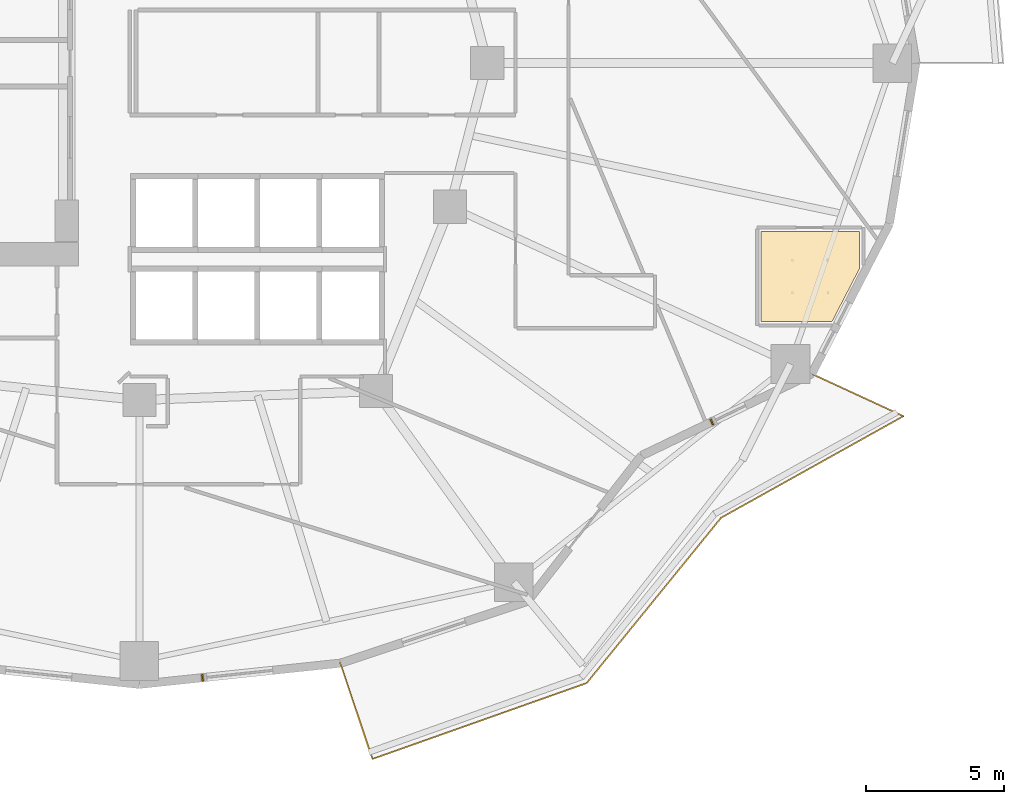
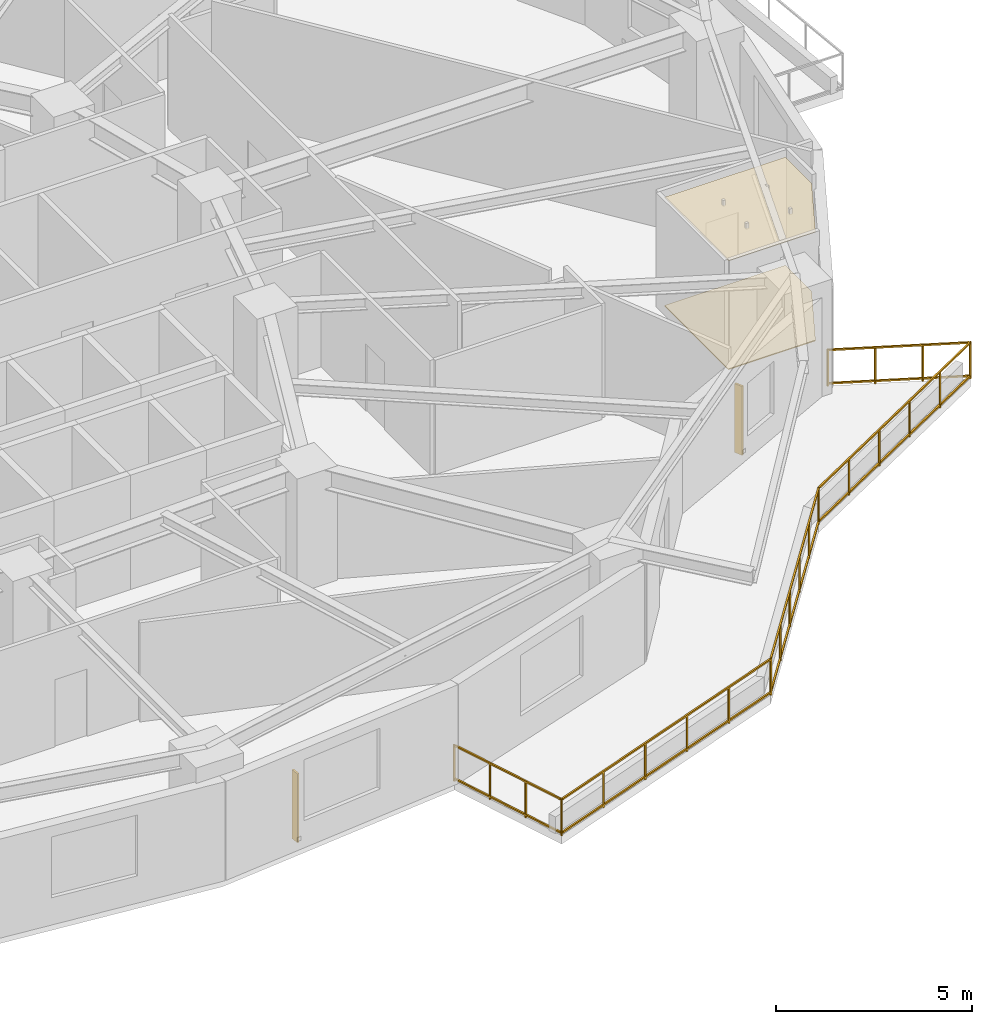
# One storey, part 16 of 18: 2 coverings, 2 shading devices, 1 railing.
"""IFC4 building model written with IfcOpenShell, lengths in metres."""

import ifcopenshell
import ifcopenshell.guid

model = None  # the IFC model being written
_history = None  # IfcOwnerHistory: only IFC2X3 demands one
_inside = {}  # id of a spatial element -> (the spatial element, [elements in it])
_under = {}  # id of a project, library or spatial element -> (it, [spatial elements below it])
_declared = {}  # id of a project -> (the project, [libraries it declares])
_typed = {}  # id of a type object -> (the type object, [elements of that type])
_made_of = {}  # id of a material, layer set ... -> (it, [elements and type objects made of it])


def new_model(schema):
    """Start an empty IFC model of exactly this schema.

    Asked for "IFC4X3", IfcOpenShell would pick the latest addendum, in which some entities
    have other attributes; the version numbers below select the first issue.
    IFC2X3 requires an IfcOwnerHistory on every rooted entity: one is made here for all.
    """
    global model, _history
    if schema == "IFC4X3":
        model = ifcopenshell.file(schema_version=(4, 3, 0, 0))
    else:
        model = ifcopenshell.file(schema=schema)
    _inside.clear()
    _under.clear()
    _declared.clear()
    _typed.clear()
    _made_of.clear()
    _history = None
    if model.schema == "IFC2X3":
        org = make("IfcOrganization", Name="unknown")
        user = make(
            "IfcPersonAndOrganization",
            ThePerson=make("IfcPerson", FamilyName="unknown"),
            TheOrganization=org,
        )
        app = make(
            "IfcApplication",
            ApplicationDeveloper=org,
            Version="unknown",
            ApplicationFullName="unknown",
            ApplicationIdentifier="unknown",
        )
        _history = make(
            "IfcOwnerHistory",
            OwningUser=user,
            OwningApplication=app,
            ChangeAction="ADDED",
            CreationDate=0,
        )
    return model


def make(cls, **values):
    """One entity of the class cls with the attributes given. An attribute that is None is left unset."""
    return model.create_entity(
        cls, **{name: value for name, value in values.items() if value is not None}
    )


def rooted(cls, **values):
    """An entity with a GlobalId (a new one), such as an element, a storey or a relation."""
    return make(cls, GlobalId=ifcopenshell.guid.new(), OwnerHistory=_history, **values)


def si_unit(unit_type, name, prefix=None):
    """IfcSIUnit, for example si_unit("LENGTHUNIT", "METRE", prefix="MILLI")."""
    return make("IfcSIUnit", UnitType=unit_type, Prefix=prefix, Name=name)


def assignment(units):
    """IfcUnitAssignment: the units of a project."""
    return None if units is None else make("IfcUnitAssignment", Units=units)


def point(xyz):
    """IfcCartesianPoint."""
    return None if xyz is None else make("IfcCartesianPoint", Coordinates=xyz)


def direction(xyz):
    """IfcDirection."""
    return None if xyz is None else make("IfcDirection", DirectionRatios=xyz)


def frame(location, z_axis=None, x_axis=None):
    """IfcAxis2Placement3D, a coordinate frame: its origin and axes. An axis left out is left unset."""
    return make(
        "IfcAxis2Placement3D",
        Location=point(location),
        Axis=direction(z_axis),
        RefDirection=direction(x_axis),
    )


def frame_2d(location, x_axis=None):
    """IfcAxis2Placement2D, a coordinate frame in the plane: its origin and x axis."""
    return make(
        "IfcAxis2Placement2D", Location=point(location), RefDirection=direction(x_axis)
    )


def origin():
    """The frame at (0, 0, 0) with its axes left unset."""
    return frame((0.0, 0.0, 0.0))


def origin_2d():
    """The frame at (0, 0) in the plane with its x axis left unset."""
    return frame_2d((0.0, 0.0))


def place(relative_to, where):
    """IfcLocalPlacement: puts the frame where relative to a parent placement (None: the world)."""
    return make(
        "IfcLocalPlacement", PlacementRelTo=relative_to, RelativePlacement=where
    )


def context(
    kind, dimensions, precision=None, world=None, true_north=None, identifier=None
):
    """IfcGeometricRepresentationContext, for example the 3D "Model" context."""
    return make(
        "IfcGeometricRepresentationContext",
        ContextIdentifier=identifier,
        ContextType=kind,
        CoordinateSpaceDimension=dimensions,
        Precision=precision,
        WorldCoordinateSystem=world,
        TrueNorth=true_north,
    )


def subcontext(parent, identifier, kind, view, scale=None):
    """IfcGeometricRepresentationSubContext, for example "Body" below "Model"."""
    return make(
        "IfcGeometricRepresentationSubContext",
        ContextIdentifier=identifier,
        ContextType=kind,
        ParentContext=parent,
        TargetScale=scale,
        TargetView=view,
    )


def project(units=None, contexts=None):
    """IfcProject with its units and contexts."""
    return rooted(
        "IfcProject",
        Name="project",
        RepresentationContexts=contexts,
        UnitsInContext=assignment(units),
    )


def spatial(cls, under=None, at=None, **own):
    """A site, building, storey or space (cls), placed at a placement, below another one or the project."""
    s = rooted(cls, ObjectPlacement=at, **own)
    if under is not None:
        _under.setdefault(under.id(), (under, []))[1].append(s)
    return s


def polyline(points):
    """IfcPolyline through the points."""
    return make("IfcPolyline", Points=[point(p) for p in points])


def profile(cls, at=None, kind="AREA", **sizes):
    """A parametric profile (cls). Its sizes go by their IFC names, for example OverallWidth=200.0."""
    return make(cls, ProfileType=kind, Position=at, **sizes)


def rectangle(**sizes):
    """IfcRectangleProfileDef."""
    return profile("IfcRectangleProfileDef", **sizes)


def outline(outer, holes=None, kind="AREA"):
    """IfcArbitraryClosedProfileDef: a profile drawn as a closed curve; with holes, ...WithVoids."""
    if holes is None:
        return make("IfcArbitraryClosedProfileDef", ProfileType=kind, OuterCurve=outer)
    return make(
        "IfcArbitraryProfileDefWithVoids",
        ProfileType=kind,
        OuterCurve=outer,
        InnerCurves=holes,
    )


def extrude(swept, where, along, depth):
    """IfcExtrudedAreaSolid: the profile swept, set in the frame where, extruded along a direction by depth."""
    return make(
        "IfcExtrudedAreaSolid",
        SweptArea=swept,
        Position=where,
        ExtrudedDirection=direction(along),
        Depth=depth,
    )


def shape(context_of_items, identifier, shape_type, items):
    """IfcShapeRepresentation: the items that make up one representation, for example the "Body"."""
    return make(
        "IfcShapeRepresentation",
        ContextOfItems=context_of_items,
        RepresentationIdentifier=identifier,
        RepresentationType=shape_type,
        Items=items,
    )


def material(Name=None, Category=None):
    """IfcMaterial."""
    return make("IfcMaterial", Name=Name, Category=Category)


def layer(
    of_material, thickness, ventilated=None, Name=None, Category=None, Priority=None
):
    """IfcMaterialLayer: one layer of a wall or slab, of a material (None: an air gap)."""
    return make(
        "IfcMaterialLayer",
        Material=of_material,
        LayerThickness=thickness,
        IsVentilated=ventilated,
        Name=Name,
        Category=Category,
        Priority=Priority,
    )


def layer_set(layers, Name=None):
    """IfcMaterialLayerSet."""
    return make("IfcMaterialLayerSet", MaterialLayers=layers, LayerSetName=Name)


def made_of(thing, what):
    """Note that an element or type object is made of a material, layer set ...; save() writes the relation."""
    if what is not None:
        _made_of.setdefault(what.id(), (what, []))[1].append(thing)
    return thing


def type_object(cls, material=None, **own):
    """A type object (cls), such as IfcWallType, which elements share."""
    return made_of(rooted(cls, **own), material)


def element(
    cls,
    number,
    at=None,
    inside=None,
    cuts=None,
    type_object=None,
    material=None,
    context=None,
    identifier="Body",
    shape_type=None,
    held_by="IfcProductDefinitionShape",
    body=None,
    shapes=None,
    **own,
):
    """One element of the class cls, such as IfcWall. Its Tag is "e" and its number.

    at: its placement. inside: the storey or other place that contains it. cuts: it is an
    opening in that element (IfcRelVoidsElement). A single representation is given by context,
    identifier, shape_type and body (its items); several are given by shapes. held_by: the class
    of the entity that holds the representations. save() writes the other relations.
    """
    e = rooted(cls, Tag="e%d" % number, ObjectPlacement=at, **own)
    if body is not None:
        shapes = [shape(context, identifier, shape_type, body)]
    if shapes is not None:
        e.Representation = make(held_by, Representations=shapes)
    if inside is not None:
        _inside.setdefault(inside.id(), (inside, []))[1].append(e)
    if cuts is not None:
        rooted(
            "IfcRelVoidsElement", RelatingBuildingElement=cuts, RelatedOpeningElement=e
        )
    if type_object is not None:
        _typed.setdefault(type_object.id(), (type_object, []))[1].append(e)
    return made_of(e, material)


def aggregate(whole, parts):
    """IfcRelAggregates: a whole, such as a stair, and the parts it consists of."""
    return rooted("IfcRelAggregates", RelatingObject=whole, RelatedObjects=parts)


def save(model, path):
    """Write the relations noted so far, then the file.

    IfcRelAggregates (storeys below a building ...), IfcRelContainedInSpatialStructure (elements
    in a storey), IfcRelDefinesByType, IfcRelAssociatesMaterial and IfcRelDeclares: one each for
    every whole, place, type object, material and project.
    """
    for whole, parts in _under.values():
        aggregate(whole, parts)
    for where, things in _inside.values():
        rooted(
            "IfcRelContainedInSpatialStructure",
            RelatedElements=things,
            RelatingStructure=where,
        )
    for kind, things in _typed.values():
        rooted("IfcRelDefinesByType", RelatedObjects=things, RelatingType=kind)
    for what, things in _made_of.values():
        rooted("IfcRelAssociatesMaterial", RelatedObjects=things, RelatingMaterial=what)
    for by, libraries in _declared.values():
        rooted("IfcRelDeclares", RelatingContext=by, RelatedDefinitions=libraries)
    model.write(path)


model = new_model("IFC4")

# Units and contexts
model_context = context("Model", 3, precision=1e-05, world=origin(), true_north=direction((0.0, 1.0)))
body_context = subcontext(model_context, "Body", "Model", "MODEL_VIEW")
ifc_project = project(units=[si_unit("LENGTHUNIT", "METRE"), si_unit("AREAUNIT", "SQUARE_METRE"), si_unit("VOLUMEUNIT", "CUBIC_METRE"), si_unit("PLANEANGLEUNIT", "RADIAN"), si_unit("MASSUNIT", "GRAM", prefix="KILO")], contexts=[model_context])

# Site, building, storey
site_placement = place(None, origin())
site = spatial("IfcSite", under=ifc_project, at=site_placement, CompositionType="ELEMENT")
building_placement = place(site_placement, origin())
building = spatial("IfcBuilding", under=site, at=building_placement, Name="Kolvaren Gate Tower and Convention Centre", CompositionType="ELEMENT")
storey_placement = place(building_placement, frame((0.0, 0.0, 30.35009765625)))
storey = spatial("IfcBuildingStorey", under=building, at=storey_placement, Name="L06", CompositionType="ELEMENT", Elevation=30.35009765625)

# Coverings
ifc_material_1 = material(Name="Perforated Mineral-Fibre Acoustic Ceiling Tile 18 mm", Category="gypsum")
ifc_layer_1 = layer(ifc_material_1, 0.01806640625)
ifc_layer_set_1 = layer_set([ifc_layer_1], Name="Perforated Mineral-Fibre Acoustic Ceiling Tile 18 mm")
covering_type_1 = type_object("IfcCoveringType", Name="ARCH-COV-CEIL-18", PredefinedType="CEILING", material=ifc_layer_set_1)
covering_1_placement = place(storey_placement, frame((0.0, 0.0, 3.389892578125)))
element("IfcCovering", 1, at=covering_1_placement, inside=storey, type_object=covering_type_1, Name="Cellular Office Acoustic Suspended Ceiling", PredefinedType="CEILING", context=body_context, shape_type="SweptSolid", body=[
    extrude(outline(polyline([(52.639892578125, 17.639892578125), (52.639892578125, 20.909912109375), (56.2099609375, 20.909912109375), (56.2099609375, 19.56591796875), (55.212890625, 17.639892578125), (52.639892578125, 17.639892578125)])), origin(), (0.0, 0.0, 1.0), 0.01806640625),
])
ifc_material_2 = material(Name="Honed Sabana Limestone Terrazzo Flooring 30 mm", Category="masonry")
ifc_layer_2 = layer(ifc_material_2, 0.030029296875)
ifc_layer_set_2 = layer_set([ifc_layer_2], Name="Honed Sabana Limestone Terrazzo Flooring 30 mm")
covering_type_2 = type_object("IfcCoveringType", Name="ARCH-COV-FLR-30", PredefinedType="FLOORING", material=ifc_layer_set_2)
covering_2_placement = place(storey_placement, origin())
element("IfcCovering", 2, at=covering_2_placement, inside=storey, type_object=covering_type_2, Name="Cellular Office Interior Finish Flooring", PredefinedType="FLOORING", context=body_context, shape_type="SweptSolid", body=[
    extrude(outline(polyline([(52.639892578125, 17.639892578125), (52.639892578125, 20.909912109375), (56.2099609375, 20.909912109375), (56.2099609375, 19.56591796875), (55.212890625, 17.639892578125), (52.639892578125, 17.639892578125)])), origin(), (0.0, 0.0, 1.0), 0.02978515625),
])

# Railing
ifc_material_3 = material(Name="Brushed Stainless Steel Grade 316L", Category="steel")
railing_type = type_object("IfcRailingType", Name="ARCH-RL-GUARD-1150", PredefinedType="GUARDRAIL", material=ifc_material_3)
railing_placement = place(storey_placement, frame((37.404296875, 5.2666015625, 0.0)))
element("IfcRailing", 3, at=railing_placement, inside=storey, type_object=railing_type, Name="Tower L06 Terrace Perimeter Guardrail GR-4", PredefinedType="GUARDRAIL", context=body_context, shape_type="SweptSolid", body=[
    extrude(rectangle(XDim=0.048095703125, YDim=0.048095703125, at=origin_2d()), frame((0.0087890625, -0.026611328125, 1.1259765625), z_axis=(0.317588247294, -0.948228719867, 0.0), x_axis=(0.948228719867, 0.317588247294, 0.0)), (0.0, 0.0, 1.0), 3.603759765625),
    extrude(rectangle(XDim=0.048095703125, YDim=0.048095703125, at=origin_2d()), frame((0.0087890625, -0.026611328125, 0.083984375), z_axis=(0.317588247294, -0.948228719867, 0.0), x_axis=(0.948228719867, 0.317588247294, 0.0)), (0.0, 0.0, 1.0), 3.603759765625),
    extrude(rectangle(XDim=0.048095703125, YDim=0.048095703125, at=origin_2d()), frame((1.188720703125, -3.461181640625, 1.1259765625), z_axis=(0.942581348797, 0.333976647237, 0.0), x_axis=(-0.333976647237, 0.942581348797, 0.0)), (0.0, 0.0, 1.0), 8.179443359375),
    extrude(rectangle(XDim=0.048095703125, YDim=0.048095703125, at=origin_2d()), frame((1.188720703125, -3.461181640625, 0.083984375), z_axis=(0.942581348797, 0.333976647237, 0.0), x_axis=(-0.333976647237, 0.942581348797, 0.0)), (0.0, 0.0, 1.0), 8.179443359375),
    extrude(rectangle(XDim=0.048095703125, YDim=0.048095703125, at=origin_2d()), frame((8.942626953125, -0.6982421875, 1.1259765625), z_axis=(0.631012936188, 0.775772308324, 0.0), x_axis=(-0.775772308324, 0.631012936188, 0.0)), (0.0, 0.0, 1.0), 7.661376953125),
    extrude(rectangle(XDim=0.048095703125, YDim=0.048095703125, at=origin_2d()), frame((8.942626953125, -0.6982421875, 0.083984375), z_axis=(0.631012936188, 0.775772308324, 0.0), x_axis=(-0.775772308324, 0.631012936188, 0.0)), (0.0, 0.0, 1.0), 7.661376953125),
    extrude(rectangle(XDim=0.048095703125, YDim=0.048095703125, at=origin_2d()), frame((13.8193359375, 5.28076171875, 1.1259765625), z_axis=(0.873486390754, 0.486848564923, 0.0), x_axis=(-0.486848564923, 0.873486390754, 0.0)), (0.0, 0.0, 1.0), 7.506103515625),
    extrude(rectangle(XDim=0.048095703125, YDim=0.048095703125, at=origin_2d()), frame((13.8193359375, 5.28076171875, 0.083984375), z_axis=(0.873486390754, 0.486848564923, 0.0), x_axis=(-0.486848564923, 0.873486390754, 0.0)), (0.0, 0.0, 1.0), 7.506103515625),
    extrude(rectangle(XDim=0.048095703125, YDim=0.048095703125, at=origin_2d()), frame((20.375, 8.96044921875, 1.1259765625), z_axis=(-0.907846116663, 0.419303503993, 0.0), x_axis=(-0.419303503993, -0.907846116663, 0.0)), (0.0, 0.0, 1.0), 3.60400390625),
    extrude(rectangle(XDim=0.048095703125, YDim=0.048095703125, at=origin_2d()), frame((20.375, 8.96044921875, 0.083984375), z_axis=(-0.907846116663, 0.419303503993, 0.0), x_axis=(-0.419303503993, -0.907846116663, 0.0)), (0.0, 0.0, 1.0), 3.60400390625),
    extrude(rectangle(XDim=0.0419921875, YDim=0.0419921875, at=origin_2d()), origin(), (0.0, 0.0, 1.0), 1.14990234375),
    extrude(rectangle(XDim=0.0419921875, YDim=0.0419921875, at=origin_2d()), frame((1.162353515625, -3.470458984375, 0.0)), (0.0, 0.0, 1.0), 1.14990234375),
    extrude(rectangle(XDim=0.0419921875, YDim=0.0419921875, at=origin_2d()), frame((0.387451171875, -1.15673828125, 0.0)), (0.0, 0.0, 1.0), 1.099853515625),
    extrude(rectangle(XDim=0.0419921875, YDim=0.0419921875, at=origin_2d()), frame((0.77490234375, -2.313720703125, 0.0)), (0.0, 0.0, 1.0), 1.099853515625),
    extrude(rectangle(XDim=0.0419921875, YDim=0.0419921875, at=origin_2d()), frame((8.925048828125, -0.719970703125, 0.0)), (0.0, 0.0, 1.0), 1.14990234375),
    extrude(rectangle(XDim=0.0419921875, YDim=0.0419921875, at=origin_2d()), frame((2.71484375, -2.92041015625, 0.0)), (0.0, 0.0, 1.0), 1.099853515625),
    extrude(rectangle(XDim=0.0419921875, YDim=0.0419921875, at=origin_2d()), frame((4.267333984375, -2.370361328125, 0.0)), (0.0, 0.0, 1.0), 1.099853515625),
    extrude(rectangle(XDim=0.0419921875, YDim=0.0419921875, at=origin_2d()), frame((5.820068359375, -1.820068359375, 0.0)), (0.0, 0.0, 1.0), 1.099853515625),
    extrude(rectangle(XDim=0.0419921875, YDim=0.0419921875, at=origin_2d()), frame((7.37255859375, -1.27001953125, 0.0)), (0.0, 0.0, 1.0), 1.099853515625),
    extrude(rectangle(XDim=0.0419921875, YDim=0.0419921875, at=origin_2d()), frame((13.794921875, 5.26708984375, 0.0)), (0.0, 0.0, 1.0), 1.14990234375),
    extrude(rectangle(XDim=0.0419921875, YDim=0.0419921875, at=origin_2d()), frame((9.89892578125, 0.4775390625, 0.0)), (0.0, 0.0, 1.0), 1.099853515625),
    extrude(rectangle(XDim=0.0419921875, YDim=0.0419921875, at=origin_2d()), frame((10.873046875, 1.6748046875, 0.0)), (0.0, 0.0, 1.0), 1.099853515625),
    extrude(rectangle(XDim=0.0419921875, YDim=0.0419921875, at=origin_2d()), frame((11.846923828125, 2.872314453125, 0.0)), (0.0, 0.0, 1.0), 1.099853515625),
    extrude(rectangle(XDim=0.0419921875, YDim=0.0419921875, at=origin_2d()), frame((12.821044921875, 4.069580078125, 0.0)), (0.0, 0.0, 1.0), 1.099853515625),
    extrude(rectangle(XDim=0.0419921875, YDim=0.0419921875, at=origin_2d()), frame((20.400390625, 8.94873046875, 0.0)), (0.0, 0.0, 1.0), 1.14990234375),
    extrude(rectangle(XDim=0.0419921875, YDim=0.0419921875, at=origin_2d()), frame((15.115966796875, 6.00341796875, 0.0)), (0.0, 0.0, 1.0), 1.099853515625),
    extrude(rectangle(XDim=0.0419921875, YDim=0.0419921875, at=origin_2d()), frame((16.43701171875, 6.73974609375, 0.0)), (0.0, 0.0, 1.0), 1.099853515625),
    extrude(rectangle(XDim=0.0419921875, YDim=0.0419921875, at=origin_2d()), frame((17.75830078125, 7.47607421875, 0.0)), (0.0, 0.0, 1.0), 1.099853515625),
    extrude(rectangle(XDim=0.0419921875, YDim=0.0419921875, at=origin_2d()), frame((19.079345703125, 8.21240234375, 0.0)), (0.0, 0.0, 1.0), 1.099853515625),
    extrude(rectangle(XDim=0.0419921875, YDim=0.0419921875, at=origin_2d()), frame((17.07763671875, 10.4833984375, 0.0)), (0.0, 0.0, 1.0), 1.14990234375),
    extrude(rectangle(XDim=0.0419921875, YDim=0.0419921875, at=origin_2d()), frame((19.292724609375, 9.460205078125, 0.0)), (0.0, 0.0, 1.0), 1.099853515625),
    extrude(rectangle(XDim=0.0419921875, YDim=0.0419921875, at=origin_2d()), frame((18.185302734375, 9.971923828125, 0.0)), (0.0, 0.0, 1.0), 1.099853515625),
])

# Shading devices
ifc_material_4 = material(Name="Kiln-Fired Bogota Terracotta Ceramic Louvre Profile", Category="masonry")
shading_device_type = type_object("IfcShadingDeviceType", Name="ARCH-SHD-FIN-180", PredefinedType="JALOUSIE", material=ifc_material_4)
for number, where, z_axis, x_axis, name in (
    (4, (32.412353515625, 4.740966796875, 0.219970703125), (0.0, 0.0, 1.0), (0.994498884311, 0.104747167526, 0.0), "Ceramic Vertical Brise-Soleil Fin FN-L06-18"),
    (5, (50.857177734375, 14.00830078125, 0.219970703125), (0.0, 0.0, 1.0), (0.90136443672, 0.433061372343, 0.0), "Ceramic Vertical Brise-Soleil Fin FN-L06-21"),
):
    element("IfcShadingDevice", number, at=place(storey_placement, frame(where, z_axis=z_axis, x_axis=x_axis)), inside=storey, type_object=shading_device_type, Name=name, PredefinedType="JALOUSIE", context=body_context, shape_type="SweptSolid", body=[
        extrude(rectangle(XDim=0.06005859375, YDim=0.239990234375, at=origin_2d()), origin(), (0.0, 0.0, 1.0), 2.14990234375),
    ])

save(model, "model.ifc")
